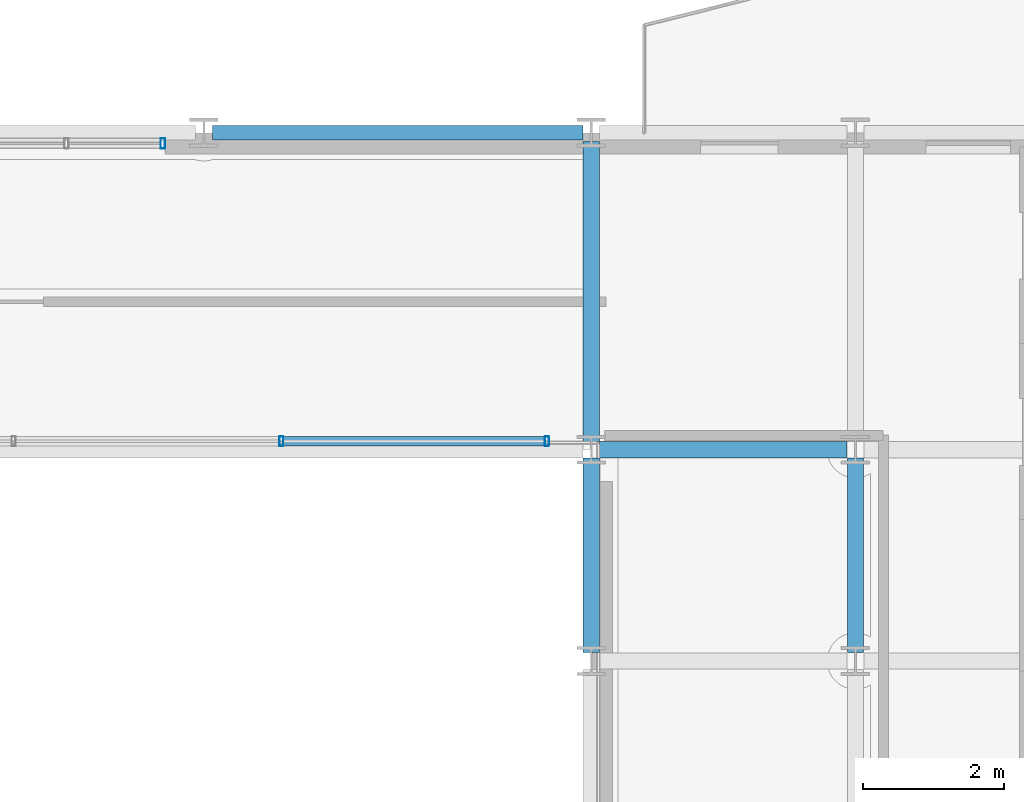
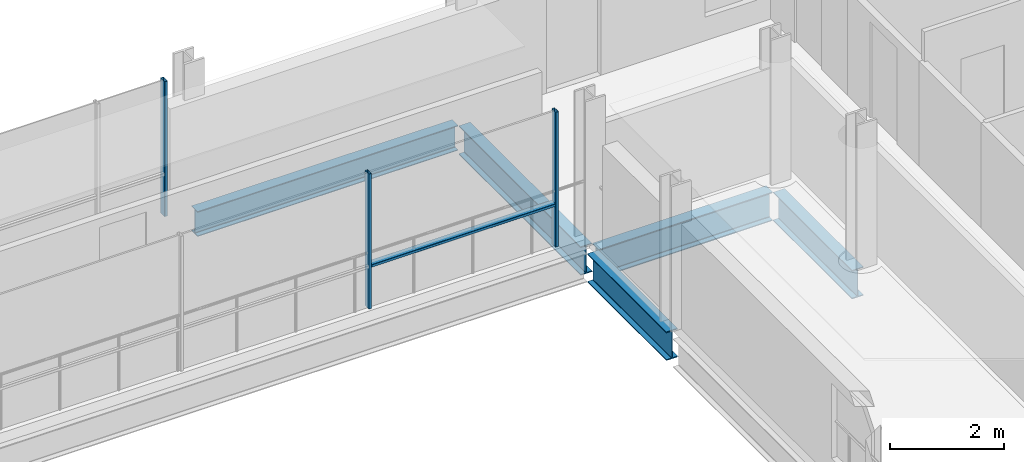
# One storey, part 19 of 38: 5 beams, 4 members, 2 elements without a shape of their own.
"""IFC4 building model written with IfcOpenShell, lengths in metres."""

import ifcopenshell
import ifcopenshell.guid

model = None  # the IFC model being written
_history = None  # IfcOwnerHistory: only IFC2X3 demands one
_inside = {}  # id of a spatial element -> (the spatial element, [elements in it])
_under = {}  # id of a project, library or spatial element -> (it, [spatial elements below it])
_declared = {}  # id of a project -> (the project, [libraries it declares])
_typed = {}  # id of a type object -> (the type object, [elements of that type])
_made_of = {}  # id of a material, layer set ... -> (it, [elements and type objects made of it])


def new_model(schema):
    """Start an empty IFC model of exactly this schema.

    Asked for "IFC4X3", IfcOpenShell would pick the latest addendum, in which some entities
    have other attributes; the version numbers below select the first issue.
    IFC2X3 requires an IfcOwnerHistory on every rooted entity: one is made here for all.
    """
    global model, _history
    if schema == "IFC4X3":
        model = ifcopenshell.file(schema_version=(4, 3, 0, 0))
    else:
        model = ifcopenshell.file(schema=schema)
    _inside.clear()
    _under.clear()
    _declared.clear()
    _typed.clear()
    _made_of.clear()
    _history = None
    if model.schema == "IFC2X3":
        org = make("IfcOrganization", Name="unknown")
        user = make(
            "IfcPersonAndOrganization",
            ThePerson=make("IfcPerson", FamilyName="unknown"),
            TheOrganization=org,
        )
        app = make(
            "IfcApplication",
            ApplicationDeveloper=org,
            Version="unknown",
            ApplicationFullName="unknown",
            ApplicationIdentifier="unknown",
        )
        _history = make(
            "IfcOwnerHistory",
            OwningUser=user,
            OwningApplication=app,
            ChangeAction="ADDED",
            CreationDate=0,
        )
    return model


def make(cls, **values):
    """One entity of the class cls with the attributes given. An attribute that is None is left unset."""
    return model.create_entity(
        cls, **{name: value for name, value in values.items() if value is not None}
    )


def rooted(cls, **values):
    """An entity with a GlobalId (a new one), such as an element, a storey or a relation."""
    return make(cls, GlobalId=ifcopenshell.guid.new(), OwnerHistory=_history, **values)


def si_unit(unit_type, name, prefix=None):
    """IfcSIUnit, for example si_unit("LENGTHUNIT", "METRE", prefix="MILLI")."""
    return make("IfcSIUnit", UnitType=unit_type, Prefix=prefix, Name=name)


def assignment(units):
    """IfcUnitAssignment: the units of a project."""
    return None if units is None else make("IfcUnitAssignment", Units=units)


def point(xyz):
    """IfcCartesianPoint."""
    return None if xyz is None else make("IfcCartesianPoint", Coordinates=xyz)


def direction(xyz):
    """IfcDirection."""
    return None if xyz is None else make("IfcDirection", DirectionRatios=xyz)


def frame(location, z_axis=None, x_axis=None):
    """IfcAxis2Placement3D, a coordinate frame: its origin and axes. An axis left out is left unset."""
    return make(
        "IfcAxis2Placement3D",
        Location=point(location),
        Axis=direction(z_axis),
        RefDirection=direction(x_axis),
    )


def frame_2d(location, x_axis=None):
    """IfcAxis2Placement2D, a coordinate frame in the plane: its origin and x axis."""
    return make(
        "IfcAxis2Placement2D", Location=point(location), RefDirection=direction(x_axis)
    )


def origin():
    """The frame at (0, 0, 0) with its axes left unset."""
    return frame((0.0, 0.0, 0.0))


def origin_2d():
    """The frame at (0, 0) in the plane with its x axis left unset."""
    return frame_2d((0.0, 0.0))


def place(relative_to, where):
    """IfcLocalPlacement: puts the frame where relative to a parent placement (None: the world)."""
    return make(
        "IfcLocalPlacement", PlacementRelTo=relative_to, RelativePlacement=where
    )


def context(
    kind, dimensions, precision=None, world=None, true_north=None, identifier=None
):
    """IfcGeometricRepresentationContext, for example the 3D "Model" context."""
    return make(
        "IfcGeometricRepresentationContext",
        ContextIdentifier=identifier,
        ContextType=kind,
        CoordinateSpaceDimension=dimensions,
        Precision=precision,
        WorldCoordinateSystem=world,
        TrueNorth=true_north,
    )


def subcontext(parent, identifier, kind, view, scale=None):
    """IfcGeometricRepresentationSubContext, for example "Body" below "Model"."""
    return make(
        "IfcGeometricRepresentationSubContext",
        ContextIdentifier=identifier,
        ContextType=kind,
        ParentContext=parent,
        TargetScale=scale,
        TargetView=view,
    )


def project(units=None, contexts=None):
    """IfcProject with its units and contexts."""
    return rooted(
        "IfcProject",
        Name="project",
        RepresentationContexts=contexts,
        UnitsInContext=assignment(units),
    )


def spatial(cls, under=None, at=None, **own):
    """A site, building, storey or space (cls), placed at a placement, below another one or the project."""
    s = rooted(cls, ObjectPlacement=at, **own)
    if under is not None:
        _under.setdefault(under.id(), (under, []))[1].append(s)
    return s


def profile(cls, at=None, kind="AREA", **sizes):
    """A parametric profile (cls). Its sizes go by their IFC names, for example OverallWidth=200.0."""
    return make(cls, ProfileType=kind, Position=at, **sizes)


def hollow_rectangle(**sizes):
    """IfcRectangleHollowProfileDef."""
    return profile("IfcRectangleHollowProfileDef", **sizes)


def i_section(**sizes):
    """IfcIShapeProfileDef."""
    return profile("IfcIShapeProfileDef", **sizes)


def extrude(swept, where, along, depth):
    """IfcExtrudedAreaSolid: the profile swept, set in the frame where, extruded along a direction by depth."""
    return make(
        "IfcExtrudedAreaSolid",
        SweptArea=swept,
        Position=where,
        ExtrudedDirection=direction(along),
        Depth=depth,
    )


def shape(context_of_items, identifier, shape_type, items):
    """IfcShapeRepresentation: the items that make up one representation, for example the "Body"."""
    return make(
        "IfcShapeRepresentation",
        ContextOfItems=context_of_items,
        RepresentationIdentifier=identifier,
        RepresentationType=shape_type,
        Items=items,
    )


def material(Name=None, Category=None):
    """IfcMaterial."""
    return make("IfcMaterial", Name=Name, Category=Category)


def layer(
    of_material, thickness, ventilated=None, Name=None, Category=None, Priority=None
):
    """IfcMaterialLayer: one layer of a wall or slab, of a material (None: an air gap)."""
    return make(
        "IfcMaterialLayer",
        Material=of_material,
        LayerThickness=thickness,
        IsVentilated=ventilated,
        Name=Name,
        Category=Category,
        Priority=Priority,
    )


def layer_set(layers, Name=None):
    """IfcMaterialLayerSet."""
    return make("IfcMaterialLayerSet", MaterialLayers=layers, LayerSetName=Name)


def material_profile(
    of_material, cross_section, Name=None, Category=None, Priority=None
):
    """IfcMaterialProfile: a cross section and its material."""
    return make(
        "IfcMaterialProfile",
        Name=Name,
        Material=of_material,
        Profile=cross_section,
        Priority=Priority,
        Category=Category,
    )


def profile_set(profiles, Name=None, composite=None):
    """IfcMaterialProfileSet."""
    return make(
        "IfcMaterialProfileSet",
        Name=Name,
        MaterialProfiles=profiles,
        CompositeProfile=composite,
    )


def made_of(thing, what):
    """Note that an element or type object is made of a material, layer set ...; save() writes the relation."""
    if what is not None:
        _made_of.setdefault(what.id(), (what, []))[1].append(thing)
    return thing


def type_object(cls, material=None, **own):
    """A type object (cls), such as IfcWallType, which elements share."""
    return made_of(rooted(cls, **own), material)


def element(
    cls,
    number,
    at=None,
    inside=None,
    cuts=None,
    type_object=None,
    material=None,
    context=None,
    identifier="Body",
    shape_type=None,
    held_by="IfcProductDefinitionShape",
    body=None,
    shapes=None,
    **own,
):
    """One element of the class cls, such as IfcWall. Its Tag is "e" and its number.

    at: its placement. inside: the storey or other place that contains it. cuts: it is an
    opening in that element (IfcRelVoidsElement). A single representation is given by context,
    identifier, shape_type and body (its items); several are given by shapes. held_by: the class
    of the entity that holds the representations. save() writes the other relations.
    """
    e = rooted(cls, Tag="e%d" % number, ObjectPlacement=at, **own)
    if body is not None:
        shapes = [shape(context, identifier, shape_type, body)]
    if shapes is not None:
        e.Representation = make(held_by, Representations=shapes)
    if inside is not None:
        _inside.setdefault(inside.id(), (inside, []))[1].append(e)
    if cuts is not None:
        rooted(
            "IfcRelVoidsElement", RelatingBuildingElement=cuts, RelatedOpeningElement=e
        )
    if type_object is not None:
        _typed.setdefault(type_object.id(), (type_object, []))[1].append(e)
    return made_of(e, material)


def aggregate(whole, parts):
    """IfcRelAggregates: a whole, such as a stair, and the parts it consists of."""
    return rooted("IfcRelAggregates", RelatingObject=whole, RelatedObjects=parts)


def save(model, path):
    """Write the relations noted so far, then the file.

    IfcRelAggregates (storeys below a building ...), IfcRelContainedInSpatialStructure (elements
    in a storey), IfcRelDefinesByType, IfcRelAssociatesMaterial and IfcRelDeclares: one each for
    every whole, place, type object, material and project.
    """
    for whole, parts in _under.values():
        aggregate(whole, parts)
    for where, things in _inside.values():
        rooted(
            "IfcRelContainedInSpatialStructure",
            RelatedElements=things,
            RelatingStructure=where,
        )
    for kind, things in _typed.values():
        rooted("IfcRelDefinesByType", RelatedObjects=things, RelatingType=kind)
    for what, things in _made_of.values():
        rooted("IfcRelAssociatesMaterial", RelatedObjects=things, RelatingMaterial=what)
    for by, libraries in _declared.values():
        rooted("IfcRelDeclares", RelatingContext=by, RelatedDefinitions=libraries)
    model.write(path)


model = new_model("IFC4")

# Units and contexts
model_context = context("Model", 3, precision=1e-05, world=origin(), true_north=direction((0.0, 1.0)))
body_context = subcontext(model_context, "Body", "Model", "MODEL_VIEW")
ifc_project = project(units=[si_unit("LENGTHUNIT", "METRE"), si_unit("AREAUNIT", "SQUARE_METRE"), si_unit("VOLUMEUNIT", "CUBIC_METRE"), si_unit("PLANEANGLEUNIT", "RADIAN"), si_unit("MASSUNIT", "GRAM", prefix="KILO")], contexts=[model_context])

# Site, building, storey
site_placement = place(None, origin())
site = spatial("IfcSite", under=ifc_project, at=site_placement, CompositionType="ELEMENT")
building_placement = place(site_placement, origin())
building = spatial("IfcBuilding", under=site, at=building_placement, Name="Brevholm Reach", CompositionType="ELEMENT")
storey_placement = place(building_placement, frame((0.0, 0.0, 141.800048828125)))
storey = spatial("IfcBuildingStorey", under=building, at=storey_placement, Name="L42", CompositionType="ELEMENT", Elevation=141.800048828125)

# Beams
ifc_material_1 = material(Name="Structural Steel S355J2", Category="steel")
ifc_material_profile_1 = material_profile(ifc_material_1, i_section(OverallWidth=0.209228515625, OverallDepth=0.533203125, WebThickness=0.010009765625, FlangeThickness=0.015625, FilletRadius=0.0126953125, at=origin_2d()), Name="UKB 533x210x92")
ifc_profile_set_1 = profile_set([ifc_material_profile_1], Name="Structural Steel S355J2")
beam_type_1 = type_object("IfcBeamType", Name="BM-SP533", PredefinedType="SPANDREL", material=ifc_profile_set_1)
beam_1_placement = place(storey_placement, frame((32.8701171875, 31.0, -0.486572265625), z_axis=(1.0, 0.0, 0.0), x_axis=(0.0, 1.0, 0.0)))
element("IfcBeam", 1, at=beam_1_placement, inside=storey, type_object=beam_type_1, Name="L42 SP-02 Framing Beam", PredefinedType="SPANDREL", context=body_context, shape_type="SweptSolid", body=[
    extrude(i_section(OverallWidth=0.209228515625, OverallDepth=0.533203125, WebThickness=0.010009765625, FlangeThickness=0.015625, FilletRadius=0.0126953125, at=origin_2d()), origin(), (0.0, 0.0, 1.0), 5.259765625),
])
ifc_material_2 = material(Name="Structural Steel S355J2", Category="steel")
ifc_material_profile_2 = material_profile(ifc_material_2, i_section(OverallWidth=0.22900390625, OverallDepth=0.6123046875, WebThickness=0.011962890625, FlangeThickness=0.01953125, FilletRadius=0.0126953125, at=origin_2d()), Name="UKB 610x229x125")
ifc_profile_set_2 = profile_set([ifc_material_profile_2], Name="Structural Steel S355J2")
beam_type_2 = type_object("IfcBeamType", Name="BM-SP610", PredefinedType="SPANDREL", material=ifc_profile_set_2)
beam_2_placement = place(storey_placement, frame((38.3701171875, 26.5, -0.526123046875), z_axis=(1.0, 0.0, 0.0), x_axis=(0.0, 1.0, 0.0)))
element("IfcBeam", 2, at=beam_2_placement, inside=storey, type_object=beam_type_2, Name="L42 SP-01 Framing Beam", PredefinedType="SPANDREL", context=body_context, shape_type="SweptSolid", body=[
    extrude(i_section(OverallWidth=0.22900390625, OverallDepth=0.6123046875, WebThickness=0.011962890625, FlangeThickness=0.01953125, FilletRadius=0.0126953125, at=origin_2d()), origin(), (0.0, 0.0, 1.0), 3.509765625),
])
beam_3_placement = place(storey_placement, frame((38.25, 23.6201171875, -0.526123046875), z_axis=(0.0, 1.0, 0.0), x_axis=(-1.0, 0.0, 0.0)))
element("IfcBeam", 3, at=beam_3_placement, inside=storey, type_object=beam_type_2, Name="L42 SP-01 Framing Beam", PredefinedType="SPANDREL", context=body_context, shape_type="SweptSolid", body=[
    extrude(i_section(OverallWidth=0.22900390625, OverallDepth=0.6123046875, WebThickness=0.011962890625, FlangeThickness=0.01953125, FilletRadius=0.0126953125, at=origin_2d()), origin(), (0.0, 0.0, 1.0), 2.759765625),
])
beam_4_placement = place(storey_placement, frame((38.25, 26.6201171875, -0.526123046875), z_axis=(0.0, 1.0, 0.0), x_axis=(-1.0, 0.0, 0.0)))
element("IfcBeam", 4, at=beam_4_placement, inside=storey, type_object=beam_type_2, Name="L42 SP-01 Framing Beam", PredefinedType="SPANDREL", context=body_context, shape_type="SweptSolid", body=[
    extrude(i_section(OverallWidth=0.22900390625, OverallDepth=0.6123046875, WebThickness=0.011962890625, FlangeThickness=0.01953125, FilletRadius=0.0126953125, at=origin_2d()), origin(), (0.0, 0.0, 1.0), 4.259765625),
])
beam_5_placement = place(storey_placement, frame((42.0, 23.6201171875, -0.526123046875), z_axis=(0.0, 1.0, 0.0), x_axis=(-1.0, 0.0, 0.0)))
element("IfcBeam", 5, at=beam_5_placement, inside=storey, type_object=beam_type_2, Name="L42 SP-01 Framing Beam", PredefinedType="SPANDREL", context=body_context, shape_type="SweptSolid", body=[
    extrude(i_section(OverallWidth=0.22900390625, OverallDepth=0.6123046875, WebThickness=0.011962890625, FlangeThickness=0.01953125, FilletRadius=0.0126953125, at=origin_2d()), origin(), (0.0, 0.0, 1.0), 2.759765625),
])

# Curtain wall, members
ifc_material_3 = material(Name="Dark Anodised Aluminium 6063-T6 and Solar-Control Glass", Category="aluminium")
ifc_layer_1 = layer(ifc_material_3, 0.139892578125)
ifc_layer_set_1 = layer_set([ifc_layer_1], Name="Dark Anodised Aluminium 6063-T6 and Solar-Control Glass")
curtain_wall_type_1 = type_object("IfcCurtainWallType", Name="CW-02", PredefinedType="NOTDEFINED", material=ifc_layer_set_1)
curtain_wall_1_placement = place(storey_placement, origin())
curtain_wall_1 = element("IfcCurtainWall", 6, at=curtain_wall_1_placement, inside=storey, type_object=curtain_wall_type_1, Name="L42 Curtain Wall CW-02", PredefinedType="NOTDEFINED")
ifc_material_4 = material(Name="Dark Anodised Aluminium 6063-T6", Category="aluminium")
ifc_material_profile_3 = material_profile(ifc_material_4, hollow_rectangle(XDim=0.06005859375, YDim=0.139892578125, WallThickness=0.0048828125, InnerFilletRadius=0.0048828125, OuterFilletRadius=0.010009765625, at=origin_2d()), Name="RHS 140x60x5")
ifc_profile_set_3 = profile_set([ifc_material_profile_3], Name="Dark Anodised Aluminium 6063-T6")
member_type_1 = type_object("IfcMemberType", Name="CWM-140", PredefinedType="MULLION", material=ifc_profile_set_3)
member_1_placement = place(storey_placement, frame((37.6201171875, 26.6201171875, 0.0), z_axis=(0.0, 0.0, 1.0), x_axis=(-1.0, 0.0, 0.0)))
member_1 = element("IfcMember", 7, at=member_1_placement, type_object=member_type_1, Name="CM-140 Mullion 1", PredefinedType="MULLION", context=body_context, shape_type="SweptSolid", body=[
    extrude(hollow_rectangle(XDim=0.06005859375, YDim=0.139892578125, WallThickness=0.0048828125, InnerFilletRadius=0.0048828125, OuterFilletRadius=0.010009765625, at=origin_2d()), origin(), (0.0, 0.0, 1.0), 2.8798828125),
])
member_2_placement = place(storey_placement, frame((33.85009765625, 26.6201171875, 0.0), z_axis=(0.0, 0.0, 1.0), x_axis=(-1.0, 0.0, 0.0)))
member_2 = element("IfcMember", 8, at=member_2_placement, type_object=member_type_1, Name="CM-140 Mullion 2", PredefinedType="MULLION", context=body_context, shape_type="SweptSolid", body=[
    extrude(hollow_rectangle(XDim=0.06005859375, YDim=0.139892578125, WallThickness=0.0048828125, InnerFilletRadius=0.0048828125, OuterFilletRadius=0.010009765625, at=origin_2d()), origin(), (0.0, 0.0, 1.0), 2.8798828125),
])

# Curtain wall, member
ifc_material_5 = material(Name="Dark Anodised Aluminium 6063-T6 and Solar-Control Glass", Category="aluminium")
ifc_layer_2 = layer(ifc_material_5, 0.14990234375)
ifc_layer_set_2 = layer_set([ifc_layer_2], Name="Dark Anodised Aluminium 6063-T6 and Solar-Control Glass")
curtain_wall_type_2 = type_object("IfcCurtainWallType", Name="CW-01", PredefinedType="NOTDEFINED", material=ifc_layer_set_2)
curtain_wall_2_placement = place(storey_placement, origin())
curtain_wall_2 = element("IfcCurtainWall", 9, at=curtain_wall_2_placement, inside=storey, type_object=curtain_wall_type_2, Name="L42 Curtain Wall CW-01", PredefinedType="NOTDEFINED")
ifc_material_6 = material(Name="Dark Anodised Aluminium 6063-T6", Category="aluminium")
ifc_material_profile_4 = material_profile(ifc_material_6, hollow_rectangle(XDim=0.06494140625, YDim=0.14990234375, WallThickness=0.0048828125, InnerFilletRadius=0.0048828125, OuterFilletRadius=0.010009765625, at=origin_2d()), Name="RHS 150x65x5")
ifc_profile_set_4 = profile_set([ifc_material_profile_4], Name="Dark Anodised Aluminium 6063-T6")
member_type_2 = type_object("IfcMemberType", Name="CWM-150", PredefinedType="MULLION", material=ifc_profile_set_4)
member_3_placement = place(storey_placement, frame((32.16748046875, 30.85009765625, 0.0), z_axis=(0.0, 0.0, 1.0), x_axis=(1.0, 0.0, 0.0)))
member_3 = element("IfcMember", 10, at=member_3_placement, type_object=member_type_2, Name="CM-150 Mullion 3", PredefinedType="MULLION", context=body_context, shape_type="SweptSolid", body=[
    extrude(hollow_rectangle(XDim=0.06494140625, YDim=0.14990234375, WallThickness=0.0048828125, InnerFilletRadius=0.0048828125, OuterFilletRadius=0.010009765625, at=origin_2d()), origin(), (0.0, 0.0, 1.0), 2.8798828125),
])
aggregate(curtain_wall_2, [member_3])

# Member
ifc_material_7 = material(Name="Dark Anodised Aluminium 6063-T6", Category="aluminium")
ifc_material_profile_5 = material_profile(ifc_material_7, hollow_rectangle(XDim=0.06005859375, YDim=0.139892578125, WallThickness=0.0048828125, InnerFilletRadius=0.0048828125, OuterFilletRadius=0.010009765625, at=origin_2d()), Name="RHS 140x60x5")
ifc_profile_set_5 = profile_set([ifc_material_profile_5], Name="Dark Anodised Aluminium 6063-T6")
member_type_3 = type_object("IfcMemberType", Name="CWT-140", PredefinedType="NOTDEFINED", material=ifc_profile_set_5)
member_4_placement = place(storey_placement, frame((37.590087890625, 26.6201171875, 0.89990234375), z_axis=(-1.0, 0.0, 0.0), x_axis=(0.0, 0.0, 1.0)))
member_4 = element("IfcMember", 11, at=member_4_placement, type_object=member_type_3, Name="CT-140 Transom 1.1", ObjectType="TRANSOM", PredefinedType="USERDEFINED", context=body_context, shape_type="SweptSolid", body=[
    extrude(hollow_rectangle(XDim=0.06005859375, YDim=0.139892578125, WallThickness=0.0048828125, InnerFilletRadius=0.0048828125, OuterFilletRadius=0.010009765625, at=origin_2d()), origin(), (0.0, 0.0, 1.0), 3.710205078125),
])

aggregate(curtain_wall_1, [member_1, member_2, member_4])

save(model, "model.ifc")
